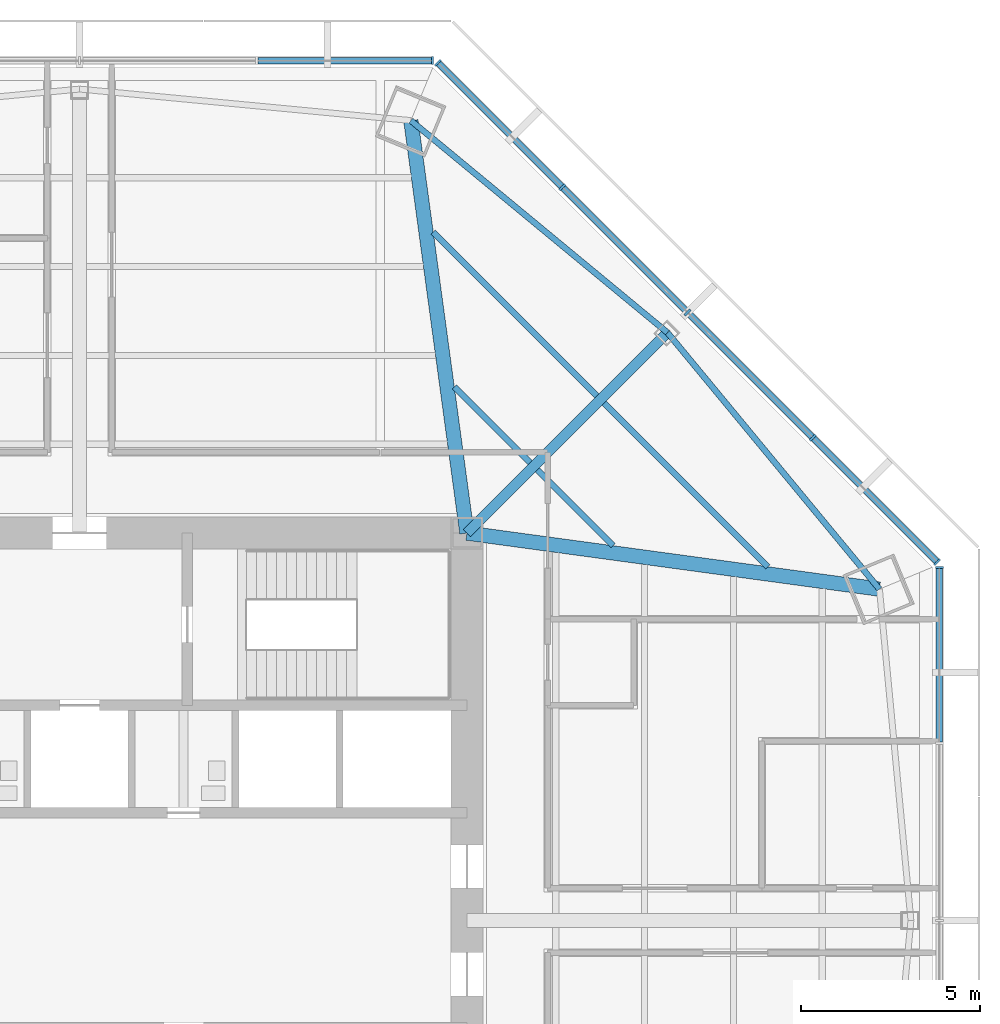
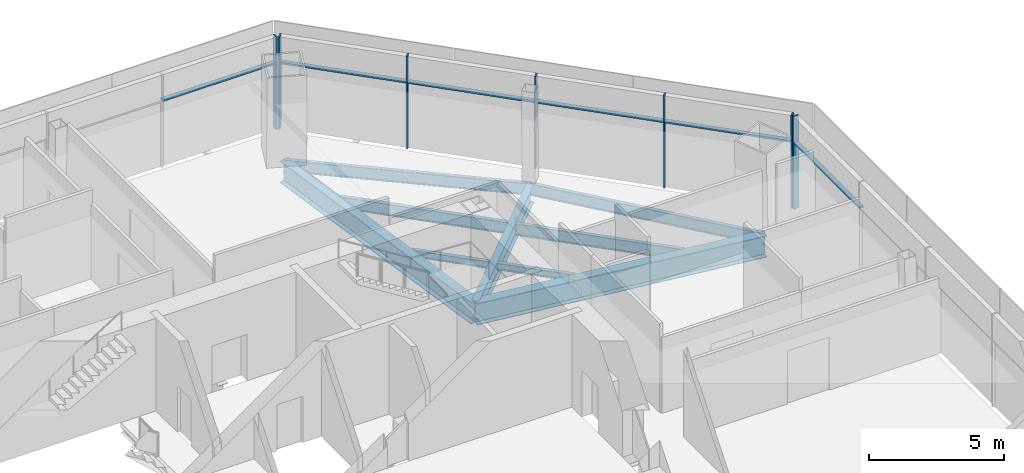
# One storey, part 6 of 14: 13 members, 9 beams, 3 elements without a shape of their own.
"""IFC4 building model written with IfcOpenShell, lengths in metres."""

from ifc_helpers import new_model, si_unit, direction, frame, origin, origin_2d, place, context, subcontext, project, spatial, rectangle, i_section, extrude, source, transform, mapped, material, material_profile, profile_set, type_object, type_shapes, element, aggregate, save


model = new_model("IFC4")

# Units and contexts
model_context = context("Model", 3, precision=1e-05, world=origin(), true_north=direction((0.0, 1.0)))
body_context = subcontext(model_context, "Body", "Model", "MODEL_VIEW")
ifc_project = project(units=[si_unit("LENGTHUNIT", "METRE"), si_unit("AREAUNIT", "SQUARE_METRE"), si_unit("VOLUMEUNIT", "CUBIC_METRE"), si_unit("PLANEANGLEUNIT", "RADIAN"), si_unit("MASSUNIT", "GRAM", prefix="KILO")], contexts=[model_context])

# Site, building, storey
site_placement = place(None, origin())
site = spatial("IfcSite", under=ifc_project, at=site_placement, CompositionType="ELEMENT")
building_placement = place(site_placement, origin())
building = spatial("IfcBuilding", under=site, at=building_placement, Name="Mashrafa Tower", CompositionType="ELEMENT")
storey_placement = place(building_placement, frame((0.0, 0.0, 142.800048828125)))
storey = spatial("IfcBuildingStorey", under=building, at=storey_placement, Name="L32", CompositionType="ELEMENT", Elevation=142.800048828125)

# Beams
ifc_material_1 = material(Name="Steel ASTM A992", Category="steel")
ifc_material_profile_1 = material_profile(ifc_material_1, i_section(OverallWidth=0.164794921875, OverallDepth=0.309814453125, WebThickness=0.005859375, FlangeThickness=0.009765625, FilletRadius=0.007568359375, at=origin_2d()), Name="W12X26")
ifc_profile_set_1 = profile_set([ifc_material_profile_1], Name="Steel ASTM A992")
beam_type_1 = type_object("IfcBeamType", Name="Beam W12X26", PredefinedType="BEAM", material=ifc_profile_set_1)
for number, where, z_axis, x_axis, name in (
    (1, (10.448486328125, 14.878662109375, -0.320068359375), (0.707106781187, -0.707106781187, 0.0), (0.707106781187, 0.707106781187, 0.0), "Floor beam L32 033"),
    (2, (12.766845703125, 12.560302734375, -0.320068359375), (0.707106781187, -0.707106781187, 0.0), (0.707106781187, 0.707106781187, 0.0), "Floor beam L32 036"),
):
    element("IfcBeam", number, at=place(storey_placement, frame(where, z_axis=z_axis, x_axis=x_axis)), inside=storey, type_object=beam_type_1, Name=name, PredefinedType="BEAM", context=body_context, shape_type="SweptSolid", body=[
        extrude(i_section(OverallWidth=0.164794921875, OverallDepth=0.309814453125, WebThickness=0.005859375, FlangeThickness=0.009765625, FilletRadius=0.007568359375, at=origin_2d()), origin(), (0.0, 0.0, 1.0), 2.986572265625),
    ])
ifc_material_2 = material(Name="Steel ASTM A992", Category="steel")
ifc_material_profile_2 = material_profile(ifc_material_2, i_section(OverallWidth=0.1650390625, OverallDepth=0.52587890625, WebThickness=0.0087890625, FlangeThickness=0.011474609375, FilletRadius=0.0126953125, at=origin_2d()), Name="W21X44")
ifc_profile_set_2 = profile_set([ifc_material_profile_2], Name="Steel ASTM A992")
beam_type_2 = type_object("IfcBeamType", Name="Beam W21X44", PredefinedType="BEAM", material=ifc_profile_set_2)
for number, where, z_axis, x_axis, name in (
    (3, (9.862548828125, 19.191650390625, -0.427978515625), (0.707106781187, -0.707106781187, 0.0), (0.707106781187, 0.707106781187, 0.0), "Floor beam L32 030"),
    (4, (14.63037109375, 14.423828125, -0.427978515625), (0.707106781187, -0.707106781187, 0.0), (0.707106781187, 0.707106781187, 0.0), "Floor beam L32 040"),
):
    element("IfcBeam", number, at=place(storey_placement, frame(where, z_axis=z_axis, x_axis=x_axis)), inside=storey, type_object=beam_type_2, Name=name, PredefinedType="BEAM", context=body_context, shape_type="SweptSolid", body=[
        extrude(i_section(OverallWidth=0.1650390625, OverallDepth=0.52587890625, WebThickness=0.0087890625, FlangeThickness=0.011474609375, FilletRadius=0.0126953125, at=origin_2d()), origin(), (0.0, 0.0, 1.0), 6.45068359375),
    ])
for number, where, z_axis, x_axis, name in (
    (5, (16.390625, 16.390625, -0.427978515625), (-0.770865133744, 0.636998387422, 0.0), (-0.636998387422, -0.770865133744, 0.0), "Spandrel beam L32 077"),
    (6, (22.301513671875, 9.237548828125, -0.427978515625), (-0.636998387422, 0.770865133744, 0.0), (-0.770865133744, -0.636998387422, 0.0), "Spandrel beam L32 079"),
):
    element("IfcBeam", number, at=place(storey_placement, frame(where, z_axis=z_axis, x_axis=x_axis)), inside=storey, type_object=beam_type_2, Name=name, PredefinedType="BEAM", context=body_context, shape_type="SweptSolid", body=[
        extrude(i_section(OverallWidth=0.1650390625, OverallDepth=0.52587890625, WebThickness=0.0087890625, FlangeThickness=0.011474609375, FilletRadius=0.0126953125, at=origin_2d()), origin(), (0.0, 0.0, 1.0), 9.279296875),
    ])
ifc_material_3 = material(Name="Steel ASTM A992", Category="steel")
ifc_material_profile_3 = material_profile(ifc_material_3, i_section(OverallWidth=0.2919921875, OverallDepth=0.8408203125, WebThickness=0.0146484375, FlangeThickness=0.021728515625, FilletRadius=0.017333984375, at=origin_2d()), Name="W33X130")
ifc_profile_set_3 = profile_set([ifc_material_profile_3], Name="Steel ASTM A992")
beam_type_3 = type_object("IfcBeamType", Name="Beam W33X130", PredefinedType="BEAM", material=ifc_profile_set_3)
beam_placement = place(storey_placement, frame((10.800048828125, 10.800048828125, -0.58544921875), z_axis=(0.707106781187, 0.707106781187, 0.0), x_axis=(-0.707106781187, 0.707106781187, 0.0)))
element("IfcBeam", 7, at=beam_placement, inside=storey, type_object=beam_type_3, Name="Radial girder L32 063", PredefinedType="BEAM", context=body_context, shape_type="SweptSolid", body=[
    extrude(i_section(OverallWidth=0.2919921875, OverallDepth=0.8408203125, WebThickness=0.0146484375, FlangeThickness=0.021728515625, FilletRadius=0.017333984375, at=origin_2d()), origin(), (0.0, 0.0, 1.0), 7.90625),
])
ifc_material_4 = material(Name="Steel ASTM A992", Category="steel")
ifc_material_profile_4 = material_profile(ifc_material_4, i_section(OverallWidth=0.4013671875, OverallDepth=0.98291015625, WebThickness=0.0166015625, FlangeThickness=0.027099609375, FilletRadius=0.0126953125, at=origin_2d()), Name="W40X199")
ifc_profile_set_4 = profile_set([ifc_material_profile_4], Name="Steel ASTM A992")
beam_type_4 = type_object("IfcBeamType", Name="Beam W40X199", PredefinedType="BEAM", material=ifc_profile_set_4)
for number, where, z_axis, x_axis, name in (
    (8, (10.800048828125, 10.800048828125, -0.656494140625), (-0.134615717096, 0.990897880062, 0.0), (-0.990897880062, -0.134615717096, 0.0), "Radial girder L32 062"),
    (9, (10.800048828125, 10.800048828125, -0.656494140625), (0.990897880062, -0.134615717096, 0.0), (0.134615717096, 0.990897880062, 0.0), "Radial girder L32 064"),
):
    element("IfcBeam", number, at=place(storey_placement, frame(where, z_axis=z_axis, x_axis=x_axis)), inside=storey, type_object=beam_type_4, Name=name, PredefinedType="BEAM", context=body_context, shape_type="SweptSolid", body=[
        extrude(i_section(OverallWidth=0.4013671875, OverallDepth=0.98291015625, WebThickness=0.0166015625, FlangeThickness=0.027099609375, FilletRadius=0.0126953125, at=origin_2d()), origin(), (0.0, 0.0, 1.0), 11.607177734375),
    ])

# Curtain wall, member
ifc_material_5 = material(Name="Unitised aluminium curtain wall", Category="aluminium")
curtain_wall_type = type_object("IfcCurtainWallType", Name="Office curtain wall, zone 2 CW-B 225 deep", PredefinedType="NOTDEFINED", material=ifc_material_5)
curtain_wall_1_placement = place(storey_placement, origin())
curtain_wall_1 = element("IfcCurtainWall", 10, at=curtain_wall_1_placement, inside=storey, type_object=curtain_wall_type, Name="Office curtain wall, zone 2 L32 east", PredefinedType="NOTDEFINED")
ifc_material_6 = material(Name="Extruded aluminium mullion", Category="aluminium")
ifc_material_profile_5 = material_profile(ifc_material_6, rectangle(XDim=0.22509765625, YDim=0.06494140625, at=origin_2d()), Name="Mullion 65x225")
ifc_profile_set_5 = profile_set([ifc_material_profile_5], Name="Extruded aluminium mullion")
member_type_1 = type_object("IfcMemberType", Name="Mullion CW-B 65 x 225", PredefinedType="MULLION", material=ifc_profile_set_5)
shared_shape_1 = source(origin(), body_context, "Body", "SweptSolid", [
    extrude(rectangle(XDim=0.22509765625, YDim=0.06494140625, at=origin_2d()), origin(), (0.0, 0.0, 1.0), 4.199951171875),
])
type_shapes(member_type_1, [shared_shape_1])
member_1_placement = place(storey_placement, frame((23.97509765625, 9.841796875, 0.0), z_axis=(0.0, 0.0, 1.0), x_axis=(-1.0, 0.0, 0.0)))
member_1 = element("IfcMember", 11, at=member_1_placement, type_object=member_type_1, Name="CW-B mullion 5", PredefinedType="MULLION", context=body_context, shape_type="MappedRepresentation", body=[
    mapped(shared_shape_1, transform((0.0, 0.0, 0.0))),
])

# Curtain wall, members
curtain_wall_2_placement = place(storey_placement, origin())
curtain_wall_2 = element("IfcCurtainWall", 12, at=curtain_wall_2_placement, inside=storey, type_object=curtain_wall_type, Name="Office curtain wall, zone 2 L32 north-east", PredefinedType="NOTDEFINED")
member_2_placement = place(storey_placement, frame((23.912109375, 9.993896484375, 0.0), z_axis=(0.0, 0.0, 1.0), x_axis=(-0.707106781187, -0.707106781187, 0.0)))
member_2 = element("IfcMember", 13, at=member_2_placement, type_object=member_type_1, Name="CW-B mullion 1", PredefinedType="MULLION", context=body_context, shape_type="MappedRepresentation", body=[
    mapped(shared_shape_1, transform((0.0, 0.0, 0.0))),
])
member_3_placement = place(storey_placement, frame((20.444091796875, 13.4619140625, 0.0), z_axis=(0.0, 0.0, 1.0), x_axis=(-0.707106781187, -0.707106781187, 0.0)))
member_3 = element("IfcMember", 14, at=member_3_placement, type_object=member_type_1, Name="CW-B mullion 2", PredefinedType="MULLION", context=body_context, shape_type="MappedRepresentation", body=[
    mapped(shared_shape_1, transform((0.0, 0.0, 0.0))),
])
member_4_placement = place(storey_placement, frame((16.952880859375, 16.952880859375, 0.0), z_axis=(0.0, 0.0, 1.0), x_axis=(-0.707106781187, -0.707106781187, 0.0)))
member_4 = element("IfcMember", 15, at=member_4_placement, type_object=member_type_1, Name="CW-B mullion 3", PredefinedType="MULLION", context=body_context, shape_type="MappedRepresentation", body=[
    mapped(shared_shape_1, transform((0.0, 0.0, 0.0))),
])
member_5_placement = place(storey_placement, frame((13.4619140625, 20.444091796875, 0.0), z_axis=(0.0, 0.0, 1.0), x_axis=(-0.707106781187, -0.707106781187, 0.0)))
member_5 = element("IfcMember", 16, at=member_5_placement, type_object=member_type_1, Name="CW-B mullion 4", PredefinedType="MULLION", context=body_context, shape_type="MappedRepresentation", body=[
    mapped(shared_shape_1, transform((0.0, 0.0, 0.0))),
])
member_6_placement = place(storey_placement, frame((9.993896484375, 23.912109375, 0.0), z_axis=(0.0, 0.0, 1.0), x_axis=(-0.707106781187, -0.707106781187, 0.0)))
member_6 = element("IfcMember", 17, at=member_6_placement, type_object=member_type_1, Name="CW-B mullion 5", PredefinedType="MULLION", context=body_context, shape_type="MappedRepresentation", body=[
    mapped(shared_shape_1, transform((0.0, 0.0, 0.0))),
])

# Curtain wall, member
curtain_wall_3_placement = place(storey_placement, origin())
curtain_wall_3 = element("IfcCurtainWall", 18, at=curtain_wall_3_placement, inside=storey, type_object=curtain_wall_type, Name="Office curtain wall, zone 2 L32 north", PredefinedType="NOTDEFINED")
member_7_placement = place(storey_placement, frame((9.841796875, 23.97509765625, 0.0), z_axis=(0.0, 0.0, 1.0), x_axis=(0.0, -1.0, 0.0)))
member_7 = element("IfcMember", 19, at=member_7_placement, type_object=member_type_1, Name="CW-B mullion 1", PredefinedType="MULLION", context=body_context, shape_type="MappedRepresentation", body=[
    mapped(shared_shape_1, transform((0.0, 0.0, 0.0))),
])

# Member
ifc_material_7 = material(Name="Extruded aluminium transom", Category="aluminium")
ifc_material_profile_6 = material_profile(ifc_material_7, rectangle(XDim=0.179931640625, YDim=0.080078125, at=origin_2d()), Name="Transom 80x180")
ifc_profile_set_6 = profile_set([ifc_material_profile_6], Name="Extruded aluminium transom")
member_type_2 = type_object("IfcMemberType", Name="Transom CW-B 80 x 180", PredefinedType="MULLION", material=ifc_profile_set_6)
shared_shape_2 = source(origin(), body_context, "Body", "SweptSolid", [
    extrude(rectangle(XDim=0.179931640625, YDim=0.080078125, at=origin_2d()), origin(), (0.0, 0.0, 1.0), 4.839599609375),
])
member_8_placement = place(storey_placement, frame((23.97509765625, 4.9697265625, 3.0), z_axis=(0.0, 1.0, 0.0), x_axis=(-1.0, 0.0, 0.0)))
member_8 = element("IfcMember", 20, at=member_8_placement, type_object=member_type_2, Name="CW-B transom 4", PredefinedType="MULLION", context=body_context, shape_type="MappedRepresentation", body=[
    mapped(shared_shape_2, transform((0.0, 0.0, 0.0))),
])

aggregate(curtain_wall_1, [member_1, member_8])

member_9_placement = place(storey_placement, frame((23.88916015625, 10.016845703125, 3.0), z_axis=(-0.707106781187, 0.707106781187, 0.0), x_axis=(-0.707106781187, -0.707106781187, 0.0)))
member_9 = element("IfcMember", 21, at=member_9_placement, type_object=member_type_2, Name="CW-B transom 1", PredefinedType="MULLION", context=body_context, shape_type="MappedRepresentation", body=[
    mapped(shared_shape_2, transform((0.0, 0.0, 0.0))),
])

member_10_placement = place(storey_placement, frame((13.43896484375, 20.467041015625, 3.0), z_axis=(-0.707106781187, 0.707106781187, 0.0), x_axis=(-0.707106781187, -0.707106781187, 0.0)))
member_10 = element("IfcMember", 22, at=member_10_placement, type_object=member_type_2, Name="CW-B transom 4", PredefinedType="MULLION", context=body_context, shape_type="MappedRepresentation", body=[
    mapped(shared_shape_2, transform((0.0, 0.0, 0.0))),
])

member_11_placement = place(storey_placement, frame((9.809326171875, 23.97509765625, 3.0), z_axis=(-1.0, 0.0, 0.0), x_axis=(0.0, -1.0, 0.0)))
member_11 = element("IfcMember", 23, at=member_11_placement, type_object=member_type_2, Name="CW-B transom 1", PredefinedType="MULLION", context=body_context, shape_type="MappedRepresentation", body=[
    mapped(shared_shape_2, transform((0.0, 0.0, 0.0))),
])

aggregate(curtain_wall_3, [member_7, member_11])

shared_shape_3 = source(origin(), body_context, "Body", "SweptSolid", [
    extrude(rectangle(XDim=0.179931640625, YDim=0.080078125, at=origin_2d()), origin(), (0.0, 0.0, 1.0), 4.872314453125),
])
type_shapes(member_type_2, [shared_shape_2, shared_shape_3])
member_12_placement = place(storey_placement, frame((20.421142578125, 13.48486328125, 3.0), z_axis=(-0.707131835017, 0.707081726468, 0.0), x_axis=(-0.707081726468, -0.707131835017, 0.0)))
member_12 = element("IfcMember", 24, at=member_12_placement, type_object=member_type_2, Name="CW-B transom 2", PredefinedType="MULLION", context=body_context, shape_type="MappedRepresentation", body=[
    mapped(shared_shape_3, transform((0.0, 0.0, 0.0))),
])

member_13_placement = place(storey_placement, frame((16.929931640625, 16.975830078125, 3.0), z_axis=(-0.707081726468, 0.707131835017, 0.0), x_axis=(-0.707131835017, -0.707081726468, 0.0)))
member_13 = element("IfcMember", 25, at=member_13_placement, type_object=member_type_2, Name="CW-B transom 3", PredefinedType="MULLION", context=body_context, shape_type="MappedRepresentation", body=[
    mapped(shared_shape_3, transform((0.0, 0.0, 0.0))),
])

aggregate(curtain_wall_2, [member_2, member_3, member_4, member_5, member_6, member_9, member_12, member_13, member_10])

save(model, "model.ifc")
